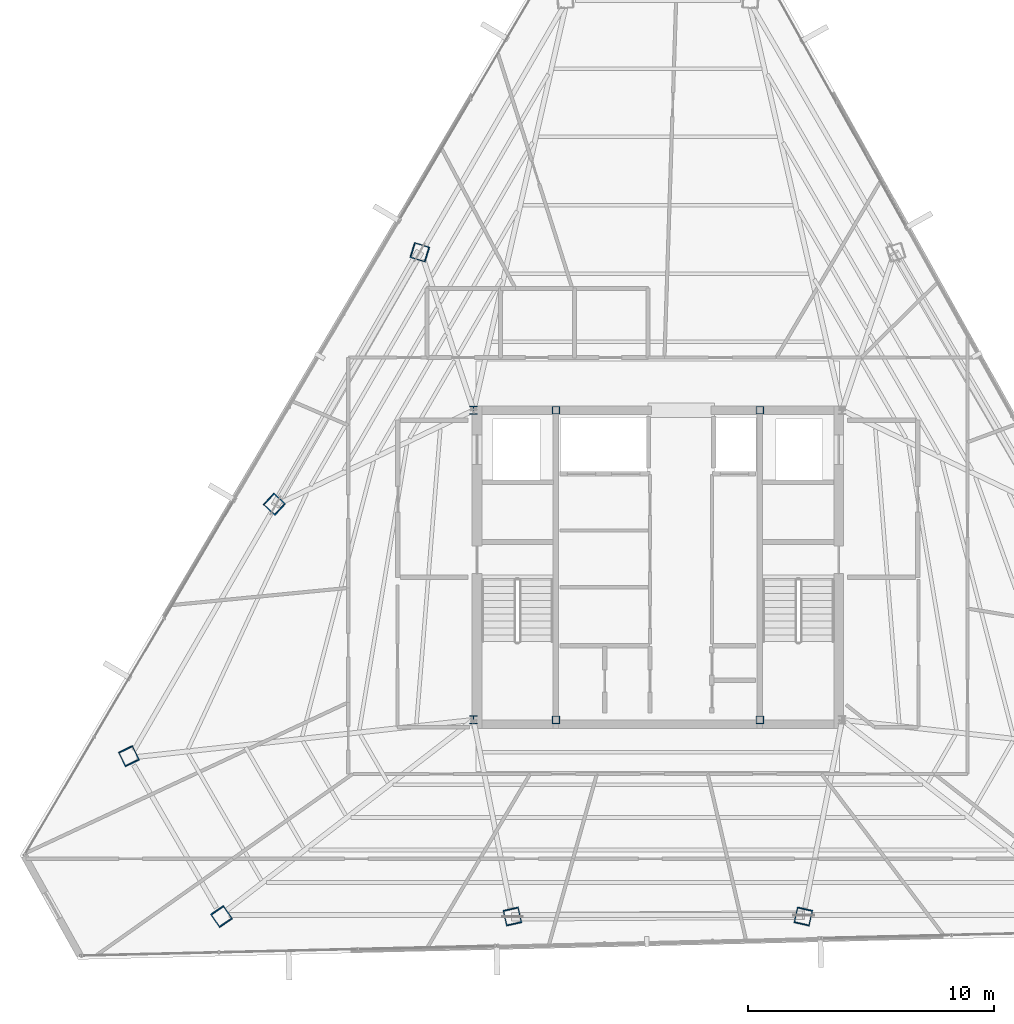
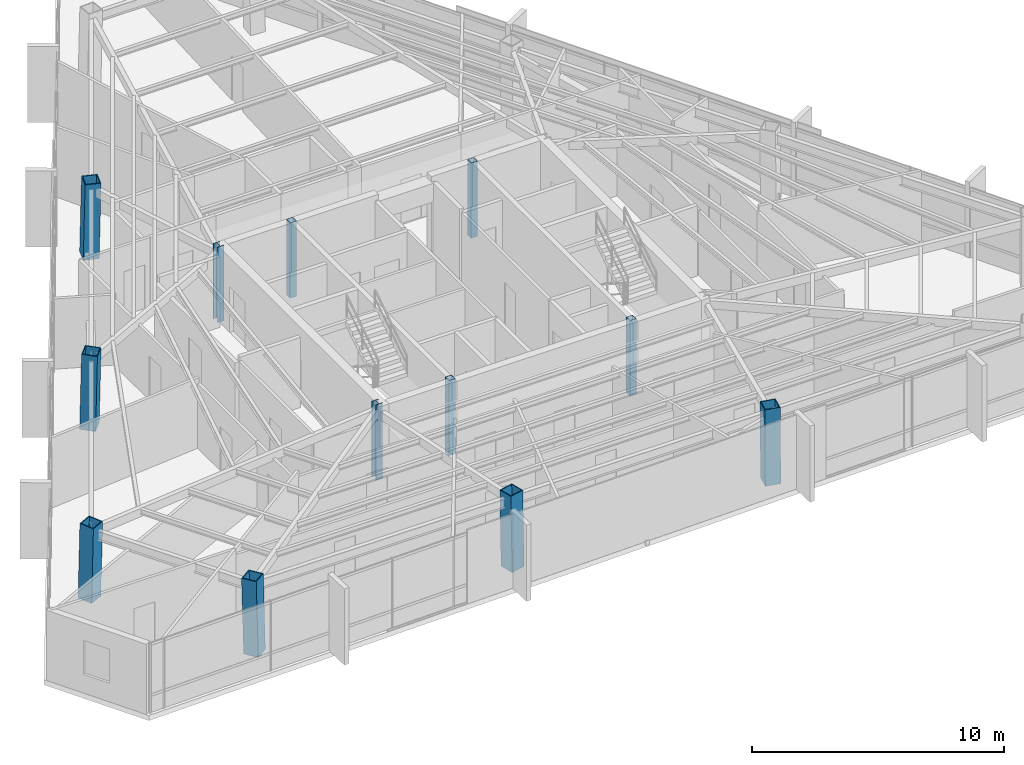
# One storey, part 1 of 44: 12 columns.
"""IFC4 building model written with IfcOpenShell, lengths in metres."""

from ifc_helpers import new_model, si_unit, direction, frame, origin, origin_2d, place, context, subcontext, project, spatial, hollow_rectangle, i_section, extrude, source, transform, mapped, material, material_profile, profile_set, type_object, type_shapes, element, save


model = new_model("IFC4")

# Units and contexts
model_context = context("Model", 3, precision=1e-05, world=origin(), true_north=direction((0.0, 1.0)))
body_context = subcontext(model_context, "Body", "Model", "MODEL_VIEW")
ifc_project = project(units=[si_unit("LENGTHUNIT", "METRE"), si_unit("AREAUNIT", "SQUARE_METRE"), si_unit("VOLUMEUNIT", "CUBIC_METRE"), si_unit("PLANEANGLEUNIT", "RADIAN"), si_unit("MASSUNIT", "GRAM", prefix="KILO")], contexts=[model_context])

# Site, building, storey
site_placement = place(None, origin())
site = spatial("IfcSite", under=ifc_project, at=site_placement, CompositionType="ELEMENT")
building_placement = place(site_placement, origin())
building = spatial("IfcBuilding", under=site, at=building_placement, Name="Caelisora Broadcast Tower", CompositionType="ELEMENT")
storey_placement = place(building_placement, frame((0.0, 0.0, 259.050048828125)))
storey = spatial("IfcBuildingStorey", under=building, at=storey_placement, Name="L68", CompositionType="ELEMENT", Elevation=259.050048828125)

# Columns
ifc_material_1 = material(Name="Steel Grade 350 (AS/NZS 3679.1)", Category="steel")
ifc_material_profile_1 = material_profile(ifc_material_1, i_section(OverallWidth=0.31103515625, OverallDepth=0.3271484375, WebThickness=0.015625, FlangeThickness=0.02490234375, at=origin_2d()), Name="Steel Grade 350 (AS/NZS 3679.1)")
ifc_profile_set_1 = profile_set([ifc_material_profile_1], Name="Steel Grade 350 (AS/NZS 3679.1)")
column_type_1 = type_object("IfcColumnType", Name="CC03", PredefinedType="COLUMN", material=ifc_profile_set_1)
shared_shape_1 = source(origin(), body_context, "Body", "SweptSolid", [
    extrude(i_section(OverallWidth=0.31103515625, OverallDepth=0.3271484375, WebThickness=0.015625, FlangeThickness=0.02490234375, at=origin_2d()), origin(), (0.0, 0.0, 1.0), 3.64990234375),
])
type_shapes(column_type_1, [shared_shape_1])
for number, where, z_axis, x_axis, name in (
    (1, (30.5, 17.39990234375, 0.0), (0.0, 0.0, 1.0), (1.0, 0.0, 0.0), "L68 column CC03"),
    (2, (30.5, 30.0, 0.0), (0.0, 0.0, 1.0), (1.0, 0.0, 0.0), "L68 column CC03"),
):
    element("IfcColumn", number, at=place(storey_placement, frame(where, z_axis=z_axis, x_axis=x_axis)), inside=storey, type_object=column_type_1, Name=name, PredefinedType="COLUMN", context=body_context, shape_type="MappedRepresentation", body=[
        mapped(shared_shape_1, transform((0.0, 0.0, 0.0), scale=1.0)),
    ])
ifc_material_2 = material(Name="Steel Grade 350 L15 (AS/NZS 3678)", Category="steel")
ifc_material_profile_2 = material_profile(ifc_material_2, hollow_rectangle(XDim=0.64990234375, YDim=0.64990234375, WallThickness=0.0400390625, at=origin_2d()), Name="Steel Grade 350 L15 (AS/NZS 3678)")
ifc_profile_set_2 = profile_set([ifc_material_profile_2], Name="Steel Grade 350 L15 (AS/NZS 3678)")
column_type_2 = type_object("IfcColumnType", Name="MC06", PredefinedType="COLUMN", material=ifc_profile_set_2)
shared_shape_2 = source(origin(), body_context, "Body", "SweptSolid", [
    extrude(hollow_rectangle(XDim=0.64990234375, YDim=0.64990234375, WallThickness=0.0400390625, at=origin_2d()), origin(), (0.0, 0.0, 1.0), 3.65087890625),
])
for number, where, z_axis, x_axis, name in (
    (3, (16.4677734375, 15.936279296875, 0.0), (0.010431780378, -0.021599135014, 0.999712286273), (0.900476348161, 0.434904985489, 0.0), "L68 column MC06"),
    (4, (20.25048828125, 9.384521484375, 0.0), (-0.013440967269, 0.019793663242, 0.999713734673), (-0.827290216258, -0.561774775229, 0.0), "L68 column MC06"),
):
    element("IfcColumn", number, at=place(storey_placement, frame(where, z_axis=z_axis, x_axis=x_axis)), inside=storey, type_object=column_type_2, Name=name, PredefinedType="COLUMN", context=body_context, shape_type="MappedRepresentation", body=[
        mapped(shared_shape_2, transform((0.0, 0.0, 0.0), scale=1.0)),
    ])
shared_shape_3 = source(origin(), body_context, "Body", "SweptSolid", [
    extrude(hollow_rectangle(XDim=0.64990234375, YDim=0.64990234375, WallThickness=0.0400390625, at=origin_2d()), origin(), (0.0, 0.0, 1.0), 3.650634765625),
])
type_shapes(column_type_2, [shared_shape_2, shared_shape_3])
for number, where, z_axis, x_axis, name in (
    (5, (28.30078125, 36.431640625, 0.0), (0.019393993486, -0.006018825565, 0.999793802119), (0.296399214872, 0.955064136811, 0.0), "L68 column MC06"),
    (6, (22.38427734375, 26.183837890625, 0.0), (0.014913313399, -0.013776424037, 0.999793880369), (0.678553674548, 0.734550822447, 0.0), "L68 column MC06"),
    (7, (32.08349609375, 9.384521484375, 0.0), (-0.004480682206, 0.019795252729, 0.999794014513), (-0.975326687046, -0.220766513622, 0.0), "L68 column MC06"),
    (8, (43.91650390625, 9.384521484375, 0.0), (0.004480682206, 0.019795252729, 0.999794014513), (-0.975326687046, 0.220766513622, 0.0), "L68 column MC06"),
):
    element("IfcColumn", number, at=place(storey_placement, frame(where, z_axis=z_axis, x_axis=x_axis)), inside=storey, type_object=column_type_2, Name=name, PredefinedType="COLUMN", context=body_context, shape_type="MappedRepresentation", body=[
        mapped(shared_shape_3, transform((0.0, 0.0, 0.0), scale=1.0)),
    ])
ifc_material_3 = material(Name="Steel Grade 350 (AS/NZS 1163 C350L0)", Category="steel")
ifc_material_profile_3 = material_profile(ifc_material_3, hollow_rectangle(XDim=0.300048828125, YDim=0.300048828125, WallThickness=0.012451171875, at=origin_2d()), Name="Steel Grade 350 (AS/NZS 1163 C350L0)")
ifc_profile_set_3 = profile_set([ifc_material_profile_3], Name="Steel Grade 350 (AS/NZS 1163 C350L0)")
column_type_3 = type_object("IfcColumnType", Name="CC08", PredefinedType="COLUMN", material=ifc_profile_set_3)
shared_shape_4 = source(origin(), body_context, "Body", "SweptSolid", [
    extrude(hollow_rectangle(XDim=0.300048828125, YDim=0.300048828125, WallThickness=0.012451171875, at=origin_2d()), origin(), (0.0, 0.0, 1.0), 3.64990234375),
])
type_shapes(column_type_3, [shared_shape_4])
for number, where, z_axis, x_axis, name in (
    (9, (33.85009765625, 17.39990234375, 0.0), (0.0, 0.0, 1.0), (1.0, 0.0, 0.0), "L68 column CC08"),
    (10, (42.14990234375, 17.39990234375, 0.0), (0.0, 0.0, 1.0), (1.0, 0.0, 0.0), "L68 column CC08"),
    (11, (33.85009765625, 30.0, 0.0), (0.0, 0.0, 1.0), (1.0, 0.0, 0.0), "L68 column CC08"),
    (12, (42.14990234375, 30.0, 0.0), (0.0, 0.0, 1.0), (1.0, 0.0, 0.0), "L68 column CC08"),
):
    element("IfcColumn", number, at=place(storey_placement, frame(where, z_axis=z_axis, x_axis=x_axis)), inside=storey, type_object=column_type_3, Name=name, PredefinedType="COLUMN", context=body_context, shape_type="MappedRepresentation", body=[
        mapped(shared_shape_4, transform((0.0, 0.0, 0.0), scale=1.0)),
    ])

save(model, "model.ifc")
